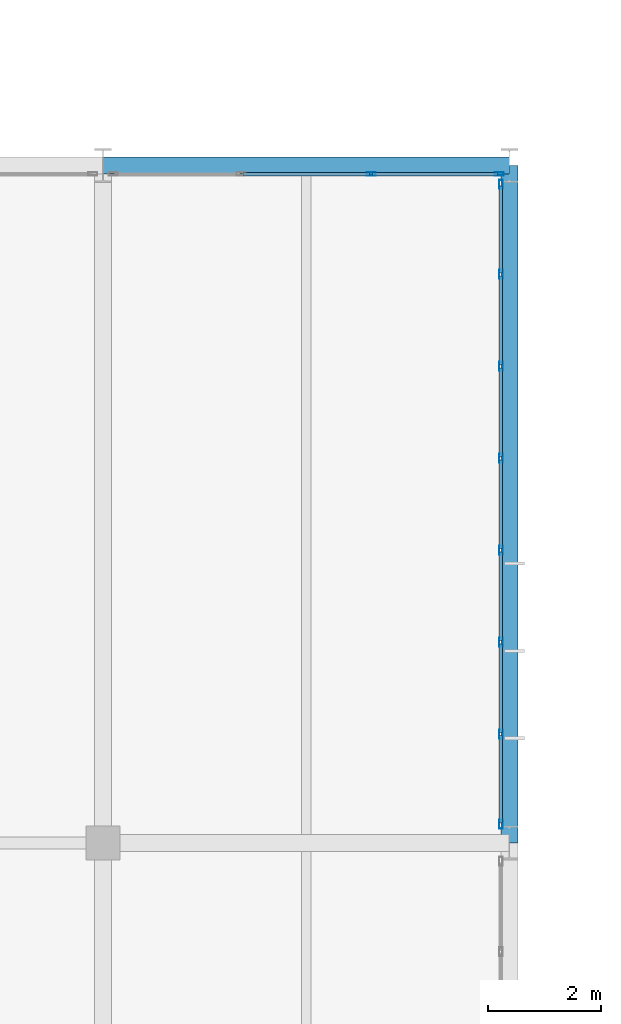
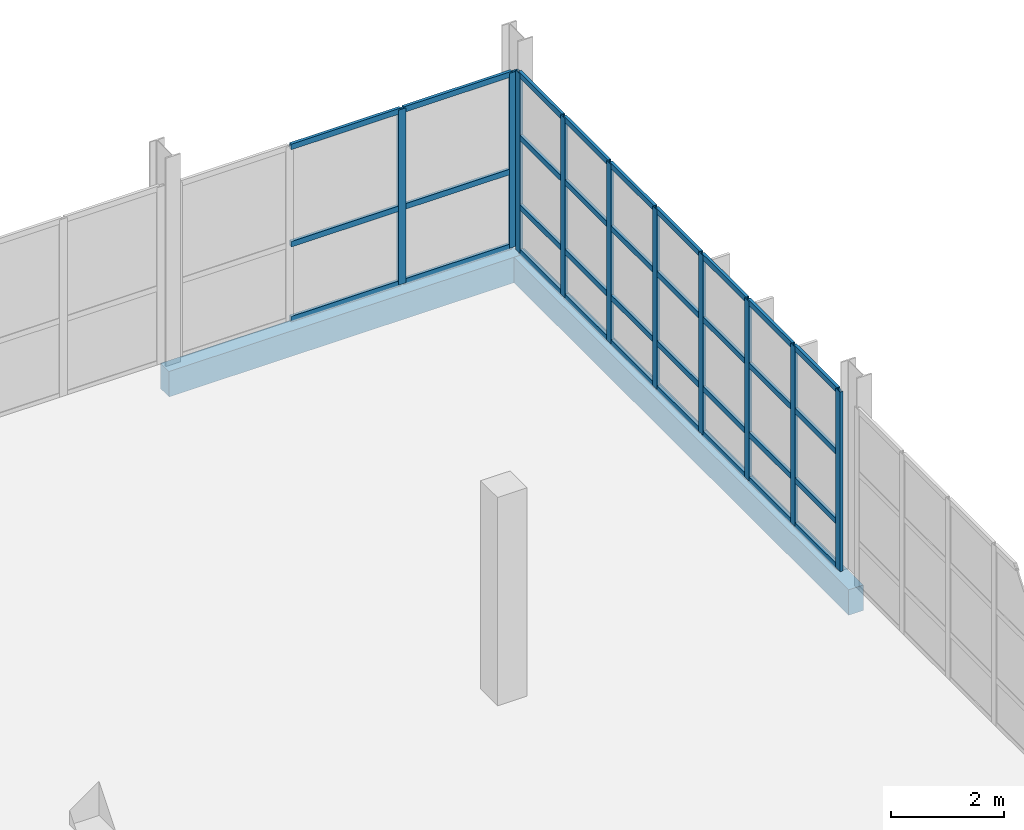
# One storey, part 103 of 130: 44 members, 2 beams, 2 elements without a shape of their own.
"""IFC4 building model written with IfcOpenShell, lengths in metres."""

from ifc_helpers import new_model, si_unit, direction, frame, origin, origin_2d, place, context, subcontext, project, spatial, rectangle, hollow_rectangle, extrude, material, material_profile, profile_set, type_object, element, aggregate, save


model = new_model("IFC4")

# Units and contexts
model_context = context("Model", 3, precision=1e-05, world=origin(), true_north=direction((0.0, 1.0)))
body_context = subcontext(model_context, "Body", "Model", "MODEL_VIEW")
ifc_project = project(units=[si_unit("LENGTHUNIT", "METRE"), si_unit("AREAUNIT", "SQUARE_METRE"), si_unit("VOLUMEUNIT", "CUBIC_METRE"), si_unit("PLANEANGLEUNIT", "RADIAN"), si_unit("MASSUNIT", "GRAM", prefix="KILO")], contexts=[model_context])

# Site, building, storey
site_placement = place(None, origin())
site = spatial("IfcSite", under=ifc_project, at=site_placement, CompositionType="ELEMENT")
building_placement = place(site_placement, origin())
building = spatial("IfcBuilding", under=site, at=building_placement, Name="Veltarok Museum of Natural Sciences", CompositionType="ELEMENT")
storey_placement = place(building_placement, frame((0.0, 0.0, 12.89990234375)))
storey = spatial("IfcBuildingStorey", under=building, at=storey_placement, Name="L02", CompositionType="ELEMENT", Elevation=12.89990234375)

# Curtain wall, members
ifc_material_1 = material(Name="Low-iron triple insulated glass", Category="glass")
curtain_wall_type_1 = type_object("IfcCurtainWallType", Name="Curtain Wall System CW-V5E-L02-G-1140x388 (V5 East Lab L02 G-H 1140x388cm)", PredefinedType="NOTDEFINED", material=ifc_material_1)
curtain_wall_1_placement = place(storey_placement, origin())
curtain_wall_1 = element("IfcCurtainWall", 1, at=curtain_wall_1_placement, inside=storey, type_object=curtain_wall_type_1, Name="Curtain Wall CW-V5E-L02-G-1140x388 CW-0114", PredefinedType="NOTDEFINED")
ifc_material_2 = material(Name="Thermally broken anodised aluminium", Category="aluminium")
ifc_material_profile_1 = material_profile(ifc_material_2, hollow_rectangle(XDim=0.06005859375, YDim=0.1201171875, WallThickness=0.0048828125, at=origin_2d()), Name="CW TRANSOM 60x120x5")
ifc_profile_set_1 = profile_set([ifc_material_profile_1], Name="Thermally broken anodised aluminium")
member_type_1 = type_object("IfcMemberType", Name="Curtain Wall Horizontal Transom 60x120x5", PredefinedType="USERDEFINED", material=ifc_profile_set_1)
member_1_placement = place(storey_placement, frame((164.64990234375, 60.360107421875, 0.030029296875), z_axis=(0.0, 1.0, 0.0), x_axis=(-1.0, 0.0, 0.0)))
member_1 = element("IfcMember", 2, at=member_1_placement, type_object=member_type_1, Name="CW-V5E-L02-G-1140x388 transom 1.1", ObjectType="TRANSOM", PredefinedType="USERDEFINED", context=body_context, shape_type="SweptSolid", body=[
    extrude(hollow_rectangle(XDim=0.06005859375, YDim=0.1201171875, WallThickness=0.0048828125, at=origin_2d()), origin(), (0.0, 0.0, 1.0), 1.53857421875),
])
member_2_placement = place(storey_placement, frame((164.64990234375, 60.360107421875, 1.0), z_axis=(0.0, 1.0, 0.0), x_axis=(-1.0, 0.0, 0.0)))
member_2 = element("IfcMember", 3, at=member_2_placement, type_object=member_type_1, Name="CW-V5E-L02-G-1140x388 transom 1.2", ObjectType="TRANSOM", PredefinedType="USERDEFINED", context=body_context, shape_type="SweptSolid", body=[
    extrude(hollow_rectangle(XDim=0.06005859375, YDim=0.1201171875, WallThickness=0.0048828125, at=origin_2d()), origin(), (0.0, 0.0, 1.0), 1.53857421875),
])
member_3_placement = place(storey_placement, frame((164.64990234375, 60.360107421875, 2.5), z_axis=(0.0, 1.0, 0.0), x_axis=(-1.0, 0.0, 0.0)))
member_3 = element("IfcMember", 4, at=member_3_placement, type_object=member_type_1, Name="CW-V5E-L02-G-1140x388 transom 1.3", ObjectType="TRANSOM", PredefinedType="USERDEFINED", context=body_context, shape_type="SweptSolid", body=[
    extrude(hollow_rectangle(XDim=0.06005859375, YDim=0.1201171875, WallThickness=0.0048828125, at=origin_2d()), origin(), (0.0, 0.0, 1.0), 1.53857421875),
])
member_4_placement = place(storey_placement, frame((164.64990234375, 60.360107421875, 3.85009765625), z_axis=(0.0, 1.0, 0.0), x_axis=(-1.0, 0.0, 0.0)))
member_4 = element("IfcMember", 5, at=member_4_placement, type_object=member_type_1, Name="CW-V5E-L02-G-1140x388 transom 1.4", ObjectType="TRANSOM", PredefinedType="USERDEFINED", context=body_context, shape_type="SweptSolid", body=[
    extrude(hollow_rectangle(XDim=0.06005859375, YDim=0.1201171875, WallThickness=0.0048828125, at=origin_2d()), origin(), (0.0, 0.0, 1.0), 1.53857421875),
])
member_5_placement = place(storey_placement, frame((164.64990234375, 61.95849609375, 0.030029296875), z_axis=(0.0, 1.0, 0.0), x_axis=(-1.0, 0.0, 0.0)))
member_5 = element("IfcMember", 6, at=member_5_placement, type_object=member_type_1, Name="CW-V5E-L02-G-1140x388 transom 2.1", ObjectType="TRANSOM", PredefinedType="USERDEFINED", context=body_context, shape_type="SweptSolid", body=[
    extrude(hollow_rectangle(XDim=0.06005859375, YDim=0.1201171875, WallThickness=0.0048828125, at=origin_2d()), origin(), (0.0, 0.0, 1.0), 1.568603515625),
])
member_6_placement = place(storey_placement, frame((164.64990234375, 61.95849609375, 1.0), z_axis=(0.0, 1.0, 0.0), x_axis=(-1.0, 0.0, 0.0)))
member_6 = element("IfcMember", 7, at=member_6_placement, type_object=member_type_1, Name="CW-V5E-L02-G-1140x388 transom 2.2", ObjectType="TRANSOM", PredefinedType="USERDEFINED", context=body_context, shape_type="SweptSolid", body=[
    extrude(hollow_rectangle(XDim=0.06005859375, YDim=0.1201171875, WallThickness=0.0048828125, at=origin_2d()), origin(), (0.0, 0.0, 1.0), 1.568603515625),
])
member_7_placement = place(storey_placement, frame((164.64990234375, 61.95849609375, 2.5), z_axis=(0.0, 1.0, 0.0), x_axis=(-1.0, 0.0, 0.0)))
member_7 = element("IfcMember", 8, at=member_7_placement, type_object=member_type_1, Name="CW-V5E-L02-G-1140x388 transom 2.3", ObjectType="TRANSOM", PredefinedType="USERDEFINED", context=body_context, shape_type="SweptSolid", body=[
    extrude(hollow_rectangle(XDim=0.06005859375, YDim=0.1201171875, WallThickness=0.0048828125, at=origin_2d()), origin(), (0.0, 0.0, 1.0), 1.568603515625),
])
member_8_placement = place(storey_placement, frame((164.64990234375, 61.95849609375, 3.85009765625), z_axis=(0.0, 1.0, 0.0), x_axis=(-1.0, 0.0, 0.0)))
member_8 = element("IfcMember", 9, at=member_8_placement, type_object=member_type_1, Name="CW-V5E-L02-G-1140x388 transom 2.4", ObjectType="TRANSOM", PredefinedType="USERDEFINED", context=body_context, shape_type="SweptSolid", body=[
    extrude(hollow_rectangle(XDim=0.06005859375, YDim=0.1201171875, WallThickness=0.0048828125, at=origin_2d()), origin(), (0.0, 0.0, 1.0), 1.568603515625),
])
member_9_placement = place(storey_placement, frame((164.64990234375, 63.587158203125, 0.030029296875), z_axis=(0.0, 1.0, 0.0), x_axis=(-1.0, 0.0, 0.0)))
member_9 = element("IfcMember", 10, at=member_9_placement, type_object=member_type_1, Name="CW-V5E-L02-G-1140x388 transom 3.1", ObjectType="TRANSOM", PredefinedType="USERDEFINED", context=body_context, shape_type="SweptSolid", body=[
    extrude(hollow_rectangle(XDim=0.06005859375, YDim=0.1201171875, WallThickness=0.0048828125, at=origin_2d()), origin(), (0.0, 0.0, 1.0), 1.568603515625),
])
member_10_placement = place(storey_placement, frame((164.64990234375, 63.587158203125, 1.0), z_axis=(0.0, 1.0, 0.0), x_axis=(-1.0, 0.0, 0.0)))
member_10 = element("IfcMember", 11, at=member_10_placement, type_object=member_type_1, Name="CW-V5E-L02-G-1140x388 transom 3.2", ObjectType="TRANSOM", PredefinedType="USERDEFINED", context=body_context, shape_type="SweptSolid", body=[
    extrude(hollow_rectangle(XDim=0.06005859375, YDim=0.1201171875, WallThickness=0.0048828125, at=origin_2d()), origin(), (0.0, 0.0, 1.0), 1.568603515625),
])
member_11_placement = place(storey_placement, frame((164.64990234375, 63.587158203125, 2.5), z_axis=(0.0, 1.0, 0.0), x_axis=(-1.0, 0.0, 0.0)))
member_11 = element("IfcMember", 12, at=member_11_placement, type_object=member_type_1, Name="CW-V5E-L02-G-1140x388 transom 3.3", ObjectType="TRANSOM", PredefinedType="USERDEFINED", context=body_context, shape_type="SweptSolid", body=[
    extrude(hollow_rectangle(XDim=0.06005859375, YDim=0.1201171875, WallThickness=0.0048828125, at=origin_2d()), origin(), (0.0, 0.0, 1.0), 1.568603515625),
])
member_12_placement = place(storey_placement, frame((164.64990234375, 63.587158203125, 3.85009765625), z_axis=(0.0, 1.0, 0.0), x_axis=(-1.0, 0.0, 0.0)))
member_12 = element("IfcMember", 13, at=member_12_placement, type_object=member_type_1, Name="CW-V5E-L02-G-1140x388 transom 3.4", ObjectType="TRANSOM", PredefinedType="USERDEFINED", context=body_context, shape_type="SweptSolid", body=[
    extrude(hollow_rectangle(XDim=0.06005859375, YDim=0.1201171875, WallThickness=0.0048828125, at=origin_2d()), origin(), (0.0, 0.0, 1.0), 1.568603515625),
])
member_13_placement = place(storey_placement, frame((164.64990234375, 65.2158203125, 0.030029296875), z_axis=(0.0, 1.0, 0.0), x_axis=(-1.0, 0.0, 0.0)))
member_13 = element("IfcMember", 14, at=member_13_placement, type_object=member_type_1, Name="CW-V5E-L02-G-1140x388 transom 4.1", ObjectType="TRANSOM", PredefinedType="USERDEFINED", context=body_context, shape_type="SweptSolid", body=[
    extrude(hollow_rectangle(XDim=0.06005859375, YDim=0.1201171875, WallThickness=0.0048828125, at=origin_2d()), origin(), (0.0, 0.0, 1.0), 1.568359375),
])
member_14_placement = place(storey_placement, frame((164.64990234375, 65.2158203125, 1.0), z_axis=(0.0, 1.0, 0.0), x_axis=(-1.0, 0.0, 0.0)))
member_14 = element("IfcMember", 15, at=member_14_placement, type_object=member_type_1, Name="CW-V5E-L02-G-1140x388 transom 4.2", ObjectType="TRANSOM", PredefinedType="USERDEFINED", context=body_context, shape_type="SweptSolid", body=[
    extrude(hollow_rectangle(XDim=0.06005859375, YDim=0.1201171875, WallThickness=0.0048828125, at=origin_2d()), origin(), (0.0, 0.0, 1.0), 1.568359375),
])
member_15_placement = place(storey_placement, frame((164.64990234375, 65.2158203125, 2.5), z_axis=(0.0, 1.0, 0.0), x_axis=(-1.0, 0.0, 0.0)))
member_15 = element("IfcMember", 16, at=member_15_placement, type_object=member_type_1, Name="CW-V5E-L02-G-1140x388 transom 4.3", ObjectType="TRANSOM", PredefinedType="USERDEFINED", context=body_context, shape_type="SweptSolid", body=[
    extrude(hollow_rectangle(XDim=0.06005859375, YDim=0.1201171875, WallThickness=0.0048828125, at=origin_2d()), origin(), (0.0, 0.0, 1.0), 1.568359375),
])
member_16_placement = place(storey_placement, frame((164.64990234375, 65.2158203125, 3.85009765625), z_axis=(0.0, 1.0, 0.0), x_axis=(-1.0, 0.0, 0.0)))
member_16 = element("IfcMember", 17, at=member_16_placement, type_object=member_type_1, Name="CW-V5E-L02-G-1140x388 transom 4.4", ObjectType="TRANSOM", PredefinedType="USERDEFINED", context=body_context, shape_type="SweptSolid", body=[
    extrude(hollow_rectangle(XDim=0.06005859375, YDim=0.1201171875, WallThickness=0.0048828125, at=origin_2d()), origin(), (0.0, 0.0, 1.0), 1.568359375),
])
member_17_placement = place(storey_placement, frame((164.64990234375, 66.84423828125, 0.030029296875), z_axis=(0.0, 1.0, 0.0), x_axis=(-1.0, 0.0, 0.0)))
member_17 = element("IfcMember", 18, at=member_17_placement, type_object=member_type_1, Name="CW-V5E-L02-G-1140x388 transom 5.1", ObjectType="TRANSOM", PredefinedType="USERDEFINED", context=body_context, shape_type="SweptSolid", body=[
    extrude(hollow_rectangle(XDim=0.06005859375, YDim=0.1201171875, WallThickness=0.0048828125, at=origin_2d()), origin(), (0.0, 0.0, 1.0), 1.568603515625),
])
member_18_placement = place(storey_placement, frame((164.64990234375, 66.84423828125, 1.0), z_axis=(0.0, 1.0, 0.0), x_axis=(-1.0, 0.0, 0.0)))
member_18 = element("IfcMember", 19, at=member_18_placement, type_object=member_type_1, Name="CW-V5E-L02-G-1140x388 transom 5.2", ObjectType="TRANSOM", PredefinedType="USERDEFINED", context=body_context, shape_type="SweptSolid", body=[
    extrude(hollow_rectangle(XDim=0.06005859375, YDim=0.1201171875, WallThickness=0.0048828125, at=origin_2d()), origin(), (0.0, 0.0, 1.0), 1.568603515625),
])
member_19_placement = place(storey_placement, frame((164.64990234375, 66.84423828125, 2.5), z_axis=(0.0, 1.0, 0.0), x_axis=(-1.0, 0.0, 0.0)))
member_19 = element("IfcMember", 20, at=member_19_placement, type_object=member_type_1, Name="CW-V5E-L02-G-1140x388 transom 5.3", ObjectType="TRANSOM", PredefinedType="USERDEFINED", context=body_context, shape_type="SweptSolid", body=[
    extrude(hollow_rectangle(XDim=0.06005859375, YDim=0.1201171875, WallThickness=0.0048828125, at=origin_2d()), origin(), (0.0, 0.0, 1.0), 1.568603515625),
])
member_20_placement = place(storey_placement, frame((164.64990234375, 66.84423828125, 3.85009765625), z_axis=(0.0, 1.0, 0.0), x_axis=(-1.0, 0.0, 0.0)))
member_20 = element("IfcMember", 21, at=member_20_placement, type_object=member_type_1, Name="CW-V5E-L02-G-1140x388 transom 5.4", ObjectType="TRANSOM", PredefinedType="USERDEFINED", context=body_context, shape_type="SweptSolid", body=[
    extrude(hollow_rectangle(XDim=0.06005859375, YDim=0.1201171875, WallThickness=0.0048828125, at=origin_2d()), origin(), (0.0, 0.0, 1.0), 1.568603515625),
])
member_21_placement = place(storey_placement, frame((164.64990234375, 68.472900390625, 0.030029296875), z_axis=(0.0, 1.0, 0.0), x_axis=(-1.0, 0.0, 0.0)))
member_21 = element("IfcMember", 22, at=member_21_placement, type_object=member_type_1, Name="CW-V5E-L02-G-1140x388 transom 6.1", ObjectType="TRANSOM", PredefinedType="USERDEFINED", context=body_context, shape_type="SweptSolid", body=[
    extrude(hollow_rectangle(XDim=0.06005859375, YDim=0.1201171875, WallThickness=0.0048828125, at=origin_2d()), origin(), (0.0, 0.0, 1.0), 1.568603515625),
])
member_22_placement = place(storey_placement, frame((164.64990234375, 68.472900390625, 1.0), z_axis=(0.0, 1.0, 0.0), x_axis=(-1.0, 0.0, 0.0)))
member_22 = element("IfcMember", 23, at=member_22_placement, type_object=member_type_1, Name="CW-V5E-L02-G-1140x388 transom 6.2", ObjectType="TRANSOM", PredefinedType="USERDEFINED", context=body_context, shape_type="SweptSolid", body=[
    extrude(hollow_rectangle(XDim=0.06005859375, YDim=0.1201171875, WallThickness=0.0048828125, at=origin_2d()), origin(), (0.0, 0.0, 1.0), 1.568603515625),
])
member_23_placement = place(storey_placement, frame((164.64990234375, 68.472900390625, 2.5), z_axis=(0.0, 1.0, 0.0), x_axis=(-1.0, 0.0, 0.0)))
member_23 = element("IfcMember", 24, at=member_23_placement, type_object=member_type_1, Name="CW-V5E-L02-G-1140x388 transom 6.3", ObjectType="TRANSOM", PredefinedType="USERDEFINED", context=body_context, shape_type="SweptSolid", body=[
    extrude(hollow_rectangle(XDim=0.06005859375, YDim=0.1201171875, WallThickness=0.0048828125, at=origin_2d()), origin(), (0.0, 0.0, 1.0), 1.568603515625),
])
member_24_placement = place(storey_placement, frame((164.64990234375, 68.472900390625, 3.85009765625), z_axis=(0.0, 1.0, 0.0), x_axis=(-1.0, 0.0, 0.0)))
member_24 = element("IfcMember", 25, at=member_24_placement, type_object=member_type_1, Name="CW-V5E-L02-G-1140x388 transom 6.4", ObjectType="TRANSOM", PredefinedType="USERDEFINED", context=body_context, shape_type="SweptSolid", body=[
    extrude(hollow_rectangle(XDim=0.06005859375, YDim=0.1201171875, WallThickness=0.0048828125, at=origin_2d()), origin(), (0.0, 0.0, 1.0), 1.568603515625),
])
member_25_placement = place(storey_placement, frame((164.64990234375, 70.101318359375, 0.030029296875), z_axis=(0.0, 1.0, 0.0), x_axis=(-1.0, 0.0, 0.0)))
member_25 = element("IfcMember", 26, at=member_25_placement, type_object=member_type_1, Name="CW-V5E-L02-G-1140x388 transom 7.1", ObjectType="TRANSOM", PredefinedType="USERDEFINED", context=body_context, shape_type="SweptSolid", body=[
    extrude(hollow_rectangle(XDim=0.06005859375, YDim=0.1201171875, WallThickness=0.0048828125, at=origin_2d()), origin(), (0.0, 0.0, 1.0), 1.53857421875),
])
member_26_placement = place(storey_placement, frame((164.64990234375, 70.101318359375, 1.0), z_axis=(0.0, 1.0, 0.0), x_axis=(-1.0, 0.0, 0.0)))
member_26 = element("IfcMember", 27, at=member_26_placement, type_object=member_type_1, Name="CW-V5E-L02-G-1140x388 transom 7.2", ObjectType="TRANSOM", PredefinedType="USERDEFINED", context=body_context, shape_type="SweptSolid", body=[
    extrude(hollow_rectangle(XDim=0.06005859375, YDim=0.1201171875, WallThickness=0.0048828125, at=origin_2d()), origin(), (0.0, 0.0, 1.0), 1.53857421875),
])
member_27_placement = place(storey_placement, frame((164.64990234375, 70.101318359375, 2.5), z_axis=(0.0, 1.0, 0.0), x_axis=(-1.0, 0.0, 0.0)))
member_27 = element("IfcMember", 28, at=member_27_placement, type_object=member_type_1, Name="CW-V5E-L02-G-1140x388 transom 7.3", ObjectType="TRANSOM", PredefinedType="USERDEFINED", context=body_context, shape_type="SweptSolid", body=[
    extrude(hollow_rectangle(XDim=0.06005859375, YDim=0.1201171875, WallThickness=0.0048828125, at=origin_2d()), origin(), (0.0, 0.0, 1.0), 1.53857421875),
])
member_28_placement = place(storey_placement, frame((164.64990234375, 70.101318359375, 3.85009765625), z_axis=(0.0, 1.0, 0.0), x_axis=(-1.0, 0.0, 0.0)))
member_28 = element("IfcMember", 29, at=member_28_placement, type_object=member_type_1, Name="CW-V5E-L02-G-1140x388 transom 7.4", ObjectType="TRANSOM", PredefinedType="USERDEFINED", context=body_context, shape_type="SweptSolid", body=[
    extrude(hollow_rectangle(XDim=0.06005859375, YDim=0.1201171875, WallThickness=0.0048828125, at=origin_2d()), origin(), (0.0, 0.0, 1.0), 1.53857421875),
])

curtain_wall_type_2 = type_object("IfcCurtainWallType", Name="Curtain Wall System CW-V5N-L02-2-690x378 (CW-V5N L02 690x378cm)", PredefinedType="NOTDEFINED", material=ifc_material_1)
curtain_wall_2_placement = place(storey_placement, origin())
curtain_wall_2 = element("IfcCurtainWall", 30, at=curtain_wall_2_placement, inside=storey, type_object=curtain_wall_type_2, Name="Curtain Wall CW-V5N-L02-2-690x378 CW-0206", PredefinedType="NOTDEFINED")
member_29_placement = place(storey_placement, frame((164.590087890625, 71.85009765625, 0.028076171875), z_axis=(-1.0, 0.0, 0.0), x_axis=(0.0, -1.0, 0.0)))
member_29 = element("IfcMember", 31, at=member_29_placement, type_object=member_type_1, Name="CW-V5N-L02-2-690x378 transom 1.1", ObjectType="TRANSOM", PredefinedType="USERDEFINED", context=body_context, shape_type="SweptSolid", body=[
    extrude(hollow_rectangle(XDim=0.06005859375, YDim=0.1201171875, WallThickness=0.0048828125, at=origin_2d()), origin(), (0.0, 0.0, 1.0), 2.210205078125),
])
member_30_placement = place(storey_placement, frame((164.590087890625, 71.85009765625, 1.648193359375), z_axis=(-1.0, 0.0, 0.0), x_axis=(0.0, -1.0, 0.0)))
member_30 = element("IfcMember", 32, at=member_30_placement, type_object=member_type_1, Name="CW-V5N-L02-2-690x378 transom 1.2", ObjectType="TRANSOM", PredefinedType="USERDEFINED", context=body_context, shape_type="SweptSolid", body=[
    extrude(hollow_rectangle(XDim=0.06005859375, YDim=0.1201171875, WallThickness=0.0048828125, at=origin_2d()), origin(), (0.0, 0.0, 1.0), 2.210205078125),
])
member_31_placement = place(storey_placement, frame((164.590087890625, 71.85009765625, 3.75), z_axis=(-1.0, 0.0, 0.0), x_axis=(0.0, -1.0, 0.0)))
member_31 = element("IfcMember", 33, at=member_31_placement, type_object=member_type_1, Name="CW-V5N-L02-2-690x378 transom 1.3", ObjectType="TRANSOM", PredefinedType="USERDEFINED", context=body_context, shape_type="SweptSolid", body=[
    extrude(hollow_rectangle(XDim=0.06005859375, YDim=0.1201171875, WallThickness=0.0048828125, at=origin_2d()), origin(), (0.0, 0.0, 1.0), 2.210205078125),
])
member_32_placement = place(storey_placement, frame((162.320068359375, 71.85009765625, 0.028076171875), z_axis=(-1.0, 0.0, 0.0), x_axis=(0.0, -1.0, 0.0)))
member_32 = element("IfcMember", 34, at=member_32_placement, type_object=member_type_1, Name="CW-V5N-L02-2-690x378 transom 2.1", ObjectType="TRANSOM", PredefinedType="USERDEFINED", context=body_context, shape_type="SweptSolid", body=[
    extrude(hollow_rectangle(XDim=0.06005859375, YDim=0.1201171875, WallThickness=0.0048828125, at=origin_2d()), origin(), (0.0, 0.0, 1.0), 2.239990234375),
])
member_33_placement = place(storey_placement, frame((162.320068359375, 71.85009765625, 1.648193359375), z_axis=(-1.0, 0.0, 0.0), x_axis=(0.0, -1.0, 0.0)))
member_33 = element("IfcMember", 35, at=member_33_placement, type_object=member_type_1, Name="CW-V5N-L02-2-690x378 transom 2.2", ObjectType="TRANSOM", PredefinedType="USERDEFINED", context=body_context, shape_type="SweptSolid", body=[
    extrude(hollow_rectangle(XDim=0.06005859375, YDim=0.1201171875, WallThickness=0.0048828125, at=origin_2d()), origin(), (0.0, 0.0, 1.0), 2.239990234375),
])
member_34_placement = place(storey_placement, frame((162.320068359375, 71.85009765625, 3.75), z_axis=(-1.0, 0.0, 0.0), x_axis=(0.0, -1.0, 0.0)))
member_34 = element("IfcMember", 36, at=member_34_placement, type_object=member_type_1, Name="CW-V5N-L02-2-690x378 transom 2.3", ObjectType="TRANSOM", PredefinedType="USERDEFINED", context=body_context, shape_type="SweptSolid", body=[
    extrude(hollow_rectangle(XDim=0.06005859375, YDim=0.1201171875, WallThickness=0.0048828125, at=origin_2d()), origin(), (0.0, 0.0, 1.0), 2.239990234375),
])

# Member
ifc_material_profile_2 = material_profile(ifc_material_2, hollow_rectangle(XDim=0.06005859375, YDim=0.159912109375, WallThickness=0.0048828125, at=origin_2d()), Name="CW MULLION 60x160x5")
ifc_profile_set_2 = profile_set([ifc_material_profile_2], Name="Thermally broken anodised aluminium")
member_type_2 = type_object("IfcMemberType", Name="Curtain Wall Vertical Mullion 60x160x5", PredefinedType="MULLION", material=ifc_profile_set_2)
member_35_placement = place(storey_placement, frame((164.64990234375, 60.330078125, 0.0), z_axis=(0.0, 0.0, 1.0), x_axis=(-1.0, 0.0, 0.0)))
member_35 = element("IfcMember", 37, at=member_35_placement, type_object=member_type_2, Name="CW-V5E-L02-G-1140x388 mullion 1", PredefinedType="MULLION", context=body_context, shape_type="SweptSolid", body=[
    extrude(hollow_rectangle(XDim=0.06005859375, YDim=0.159912109375, WallThickness=0.0048828125, at=origin_2d()), origin(), (0.0, 0.0, 1.0), 3.880126953125),
])

member_36_placement = place(storey_placement, frame((164.64990234375, 61.928466796875, 0.0), z_axis=(0.0, 0.0, 1.0), x_axis=(-1.0, 0.0, 0.0)))
member_36 = element("IfcMember", 38, at=member_36_placement, type_object=member_type_2, Name="CW-V5E-L02-G-1140x388 mullion 2", PredefinedType="MULLION", context=body_context, shape_type="SweptSolid", body=[
    extrude(hollow_rectangle(XDim=0.06005859375, YDim=0.159912109375, WallThickness=0.0048828125, at=origin_2d()), origin(), (0.0, 0.0, 1.0), 3.880126953125),
])

member_37_placement = place(storey_placement, frame((164.64990234375, 63.55712890625, 0.0), z_axis=(0.0, 0.0, 1.0), x_axis=(-1.0, 0.0, 0.0)))
member_37 = element("IfcMember", 39, at=member_37_placement, type_object=member_type_2, Name="CW-V5E-L02-G-1140x388 mullion 3", PredefinedType="MULLION", context=body_context, shape_type="SweptSolid", body=[
    extrude(hollow_rectangle(XDim=0.06005859375, YDim=0.159912109375, WallThickness=0.0048828125, at=origin_2d()), origin(), (0.0, 0.0, 1.0), 3.880126953125),
])

member_38_placement = place(storey_placement, frame((164.64990234375, 65.185791015625, 0.0), z_axis=(0.0, 0.0, 1.0), x_axis=(-1.0, 0.0, 0.0)))
member_38 = element("IfcMember", 40, at=member_38_placement, type_object=member_type_2, Name="CW-V5E-L02-G-1140x388 mullion 4", PredefinedType="MULLION", context=body_context, shape_type="SweptSolid", body=[
    extrude(hollow_rectangle(XDim=0.06005859375, YDim=0.159912109375, WallThickness=0.0048828125, at=origin_2d()), origin(), (0.0, 0.0, 1.0), 3.880126953125),
])

member_39_placement = place(storey_placement, frame((164.64990234375, 66.814208984375, 0.0), z_axis=(0.0, 0.0, 1.0), x_axis=(-1.0, 0.0, 0.0)))
member_39 = element("IfcMember", 41, at=member_39_placement, type_object=member_type_2, Name="CW-V5E-L02-G-1140x388 mullion 5", PredefinedType="MULLION", context=body_context, shape_type="SweptSolid", body=[
    extrude(hollow_rectangle(XDim=0.06005859375, YDim=0.159912109375, WallThickness=0.0048828125, at=origin_2d()), origin(), (0.0, 0.0, 1.0), 3.880126953125),
])

member_40_placement = place(storey_placement, frame((164.64990234375, 68.44287109375, 0.0), z_axis=(0.0, 0.0, 1.0), x_axis=(-1.0, 0.0, 0.0)))
member_40 = element("IfcMember", 42, at=member_40_placement, type_object=member_type_2, Name="CW-V5E-L02-G-1140x388 mullion 6", PredefinedType="MULLION", context=body_context, shape_type="SweptSolid", body=[
    extrude(hollow_rectangle(XDim=0.06005859375, YDim=0.159912109375, WallThickness=0.0048828125, at=origin_2d()), origin(), (0.0, 0.0, 1.0), 3.880126953125),
])

member_41_placement = place(storey_placement, frame((164.64990234375, 70.071533203125, 0.0), z_axis=(0.0, 0.0, 1.0), x_axis=(-1.0, 0.0, 0.0)))
member_41 = element("IfcMember", 43, at=member_41_placement, type_object=member_type_2, Name="CW-V5E-L02-G-1140x388 mullion 7", PredefinedType="MULLION", context=body_context, shape_type="SweptSolid", body=[
    extrude(hollow_rectangle(XDim=0.06005859375, YDim=0.159912109375, WallThickness=0.0048828125, at=origin_2d()), origin(), (0.0, 0.0, 1.0), 3.880126953125),
])

member_42_placement = place(storey_placement, frame((164.64990234375, 71.669921875, 0.0), z_axis=(0.0, 0.0, 1.0), x_axis=(-1.0, 0.0, 0.0)))
member_42 = element("IfcMember", 44, at=member_42_placement, type_object=member_type_2, Name="CW-V5E-L02-G-1140x388 mullion 8", PredefinedType="MULLION", context=body_context, shape_type="SweptSolid", body=[
    extrude(hollow_rectangle(XDim=0.06005859375, YDim=0.159912109375, WallThickness=0.0048828125, at=origin_2d()), origin(), (0.0, 0.0, 1.0), 3.880126953125),
])

aggregate(curtain_wall_1, [member_35, member_36, member_37, member_38, member_39, member_40, member_41, member_42, member_1, member_2, member_3, member_4, member_5, member_6, member_7, member_8, member_9, member_10, member_11, member_12, member_13, member_14, member_15, member_16, member_17, member_18, member_19, member_20, member_21, member_22, member_23, member_24, member_25, member_26, member_27, member_28])

member_43_placement = place(storey_placement, frame((164.6201171875, 71.85009765625, -0.001953125), z_axis=(0.0, 0.0, 1.0), x_axis=(0.0, -1.0, 0.0)))
member_43 = element("IfcMember", 45, at=member_43_placement, type_object=member_type_2, Name="CW-V5N-L02-2-690x378 mullion 1", PredefinedType="MULLION", context=body_context, shape_type="SweptSolid", body=[
    extrude(hollow_rectangle(XDim=0.06005859375, YDim=0.159912109375, WallThickness=0.0048828125, at=origin_2d()), origin(), (0.0, 0.0, 1.0), 3.781982421875),
])

member_44_placement = place(storey_placement, frame((162.35009765625, 71.85009765625, -0.001953125), z_axis=(0.0, 0.0, 1.0), x_axis=(0.0, -1.0, 0.0)))
member_44 = element("IfcMember", 46, at=member_44_placement, type_object=member_type_2, Name="CW-V5N-L02-2-690x378 mullion 2", PredefinedType="MULLION", context=body_context, shape_type="SweptSolid", body=[
    extrude(hollow_rectangle(XDim=0.06005859375, YDim=0.159912109375, WallThickness=0.0048828125, at=origin_2d()), origin(), (0.0, 0.0, 1.0), 3.781982421875),
])

aggregate(curtain_wall_2, [member_43, member_44, member_29, member_30, member_31, member_32, member_33, member_34])

# Beams
ifc_material_3 = material(Name="Precast concrete C40/50", Category="concrete")
ifc_material_profile_3 = material_profile(ifc_material_3, rectangle(XDim=0.300048828125, YDim=0.550048828125, at=origin_2d()), Name="RC 300x550")
ifc_profile_set_3 = profile_set([ifc_material_profile_3], Name="Precast concrete C40/50")
beam_type = type_object("IfcBeamType", Name="East Wing Precast Spandrel RC 300x550", PredefinedType="SPANDREL", material=ifc_profile_set_3)
beam_1_placement = place(storey_placement, frame((157.60009765625, 72.0, -0.52490234375), z_axis=(1.0, 0.0, 0.0), x_axis=(0.0, 1.0, 0.0)))
element("IfcBeam", 47, at=beam_1_placement, inside=storey, type_object=beam_type, Name="Beam BM-SP02 L02 19-20/H", PredefinedType="SPANDREL", context=body_context, shape_type="SweptSolid", body=[
    extrude(rectangle(XDim=0.300048828125, YDim=0.550048828125, at=origin_2d()), origin(), (0.0, 0.0, 1.0), 7.199951171875),
])
beam_2_placement = place(storey_placement, frame((164.800048828125, 60.0, -0.52490234375), z_axis=(0.0, 1.0, 0.0), x_axis=(-1.0, 0.0, 0.0)))
element("IfcBeam", 48, at=beam_2_placement, inside=storey, type_object=beam_type, Name="Beam BM-SP02 L02 20/G-H", PredefinedType="SPANDREL", context=body_context, shape_type="SweptSolid", body=[
    extrude(rectangle(XDim=0.300048828125, YDim=0.550048828125, at=origin_2d()), origin(), (0.0, 0.0, 1.0), 12.0),
])

save(model, "model.ifc")
